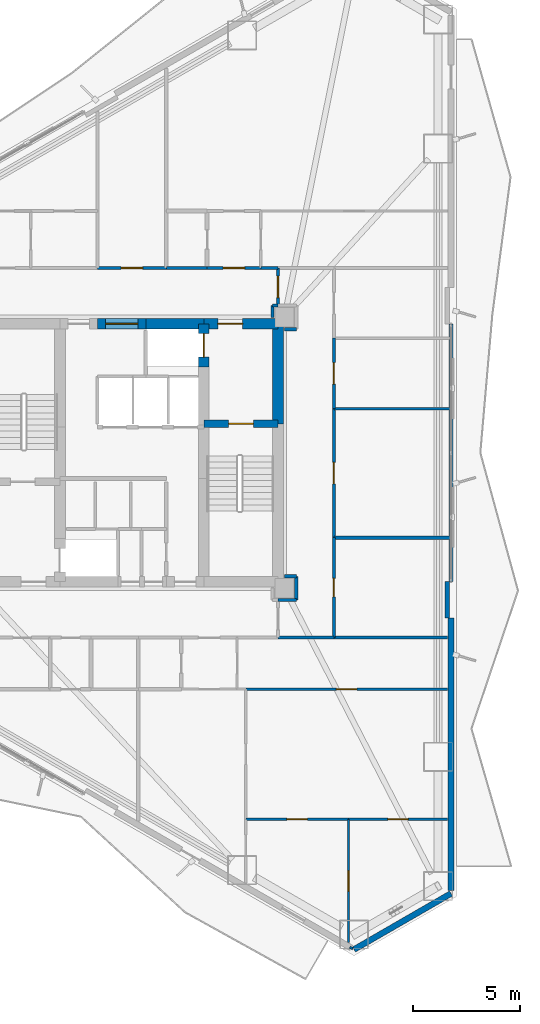
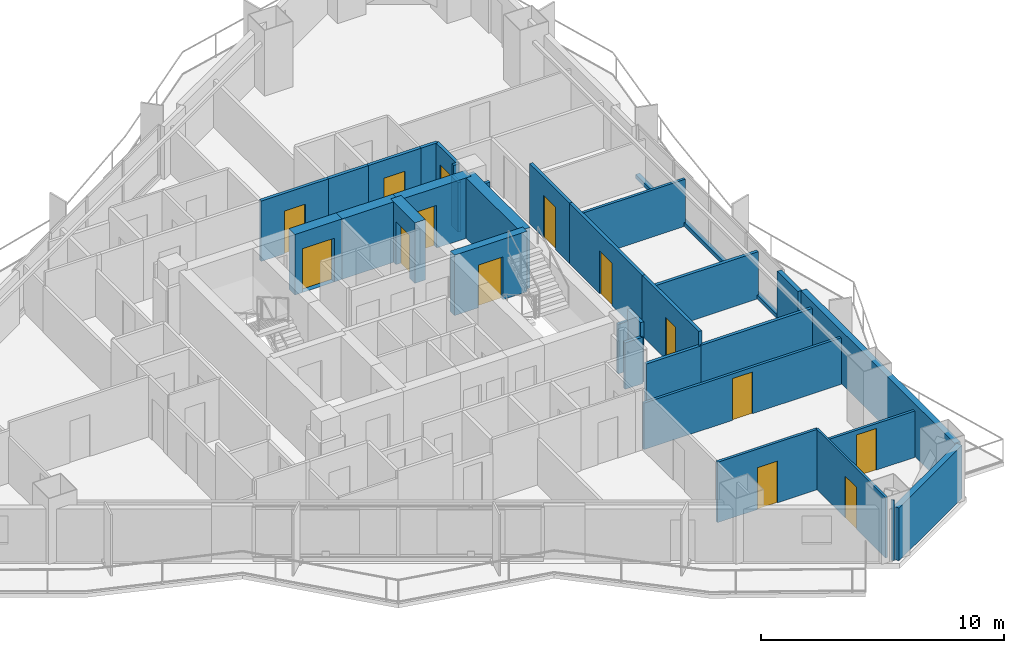
# One storey, part 15 of 19: 33 walls, 14 doors, 14 openings.
"""IFC4 building model written with IfcOpenShell, lengths in metres."""

from ifc_helpers import new_model, si_unit, direction, frame, frame_2d, origin, place, context, subcontext, project, spatial, rectangle, extrude, material, layer, layer_set, type_object, element, fill, save


model = new_model("IFC4")

# Units and contexts
model_context = context("Model", 3, precision=1e-05, world=origin(), true_north=direction((0.0, 1.0)))
body_context = subcontext(model_context, "Body", "Model", "MODEL_VIEW")
ifc_project = project(units=[si_unit("LENGTHUNIT", "METRE"), si_unit("AREAUNIT", "SQUARE_METRE"), si_unit("VOLUMEUNIT", "CUBIC_METRE"), si_unit("PLANEANGLEUNIT", "RADIAN"), si_unit("MASSUNIT", "GRAM", prefix="KILO")], contexts=[model_context])

# Site, building, storey
site_placement = place(None, origin())
site = spatial("IfcSite", under=ifc_project, at=site_placement, CompositionType="ELEMENT")
building_placement = place(site_placement, origin())
building = spatial("IfcBuilding", under=site, at=building_placement, Name="Mersakhor Tower and Convention Hall", CompositionType="ELEMENT")
storey_placement = place(building_placement, frame((0.0, 0.0, 42.300048828125)))
storey = spatial("IfcBuildingStorey", under=building, at=storey_placement, Name="L11", CompositionType="ELEMENT", Elevation=42.300048828125)

# Walls
ifc_material_1 = material(Name="Precast concrete C45/55", Category="concrete")
ifc_layer_1 = layer(ifc_material_1, 0.27490234375)
ifc_layer_set_1 = layer_set([ifc_layer_1], Name="Precast concrete C45/55")
wall_type_1 = type_object("IfcWallType", Name="WL-EXT-275", PredefinedType="SOLIDWALL", material=ifc_layer_set_1)
wall_1_placement = place(storey_placement, frame((43.85009765625, 6.240234375, 0.0), z_axis=(0.0, 0.0, 1.0), x_axis=(-0.866043601342, -0.499968479581, 0.0)))
element("IfcWall", 1, at=wall_1_placement, inside=storey, type_object=wall_type_1, Name="L11 Chamfer Braced Spandrel Wall C2", PredefinedType="SOLIDWALL", context=body_context, shape_type="SweptSolid", body=[
    extrude(rectangle(XDim=5.211181640625, YDim=0.27490234375, at=frame_2d((2.60546875, 0.0))), origin(), (0.0, 0.0, 1.0), 2.659912109375),
])
wall_2_placement = place(storey_placement, frame((43.85009765625, 19.0634765625, 0.0), z_axis=(0.0, 0.0, 1.0), x_axis=(0.0, -1.0, 0.0)))
element("IfcWall", 2, at=wall_2_placement, inside=storey, type_object=wall_type_1, Name="L11 Exterior Facade Wall F2-B3", PredefinedType="SOLIDWALL", context=body_context, shape_type="SweptSolid", body=[
    extrude(rectangle(XDim=12.673095703125, YDim=0.27490234375, at=frame_2d((6.33642578125, 0.0))), origin(), (0.0, 0.0, 1.0), 2.659912109375),
])
ifc_material_2 = material(Name="Precast concrete C40/50", Category="concrete")
ifc_layer_2 = layer(ifc_material_2, 0.199951171875)
ifc_layer_set_2 = layer_set([ifc_layer_2], Name="Precast concrete C40/50")
wall_type_2 = type_object("IfcWallType", Name="WL-PAR-200", PredefinedType="PARAPET", material=ifc_layer_set_2)
wall_3_placement = place(storey_placement, frame((43.85009765625, 32.736572265625, 0.0), z_axis=(0.0, 0.0, 1.0), x_axis=(0.0, -1.0, 0.0)))
element("IfcWall", 3, at=wall_3_placement, inside=storey, type_object=wall_type_2, Name="L11 Curtain Wall Upstand Sill F2-B2", PredefinedType="PARAPET", context=body_context, shape_type="SweptSolid", body=[
    extrude(rectangle(XDim=11.97314453125, YDim=0.199951171875, at=frame_2d((5.986572265625, 0.0))), origin(), (0.0, 0.0, 1.0), 0.199951171875),
])
wall_4_placement = place(storey_placement, frame((43.669921875, 20.763427734375, 0.0), z_axis=(0.0, 0.0, 1.0), x_axis=(0.0, -1.0, 0.0)))
element("IfcWall", 4, at=wall_4_placement, inside=storey, type_object=wall_type_2, Name="L11 Column Pier Cladding Wall F2-C2", PredefinedType="PARAPET", context=body_context, shape_type="SweptSolid", body=[
    extrude(rectangle(XDim=1.699951171875, YDim=0.199951171875, at=frame_2d((0.85009765625, 0.0))), origin(), (0.0, 0.0, 1.0), 2.659912109375),
])

# Wall, opening, door
ifc_material_3 = material(Name="Lightweight gypsum partition", Category="other")
ifc_layer_3 = layer(ifc_material_3, 0.10009765625)
ifc_layer_set_3 = layer_set([ifc_layer_3], Name="Lightweight gypsum partition")
wall_type_3 = type_object("IfcWallType", Name="WL-PRT-100", PredefinedType="PARTITIONING", material=ifc_layer_set_3)
wall_5_placement = place(storey_placement, frame((39.080078125, 9.68994140625, 0.0), z_axis=(0.0, 0.0, 1.0), x_axis=(0.0, -1.0, 0.0)))
wall_5 = element("IfcWall", 5, at=wall_5_placement, inside=storey, type_object=wall_type_3, Name="L11 Interior Partition Wall P-120", PredefinedType="PARTITIONING", context=body_context, shape_type="SweptSolid", body=[
    extrude(rectangle(XDim=5.720458984375, YDim=0.10009765625, at=frame_2d((2.8603515625, 0.0))), origin(), (0.0, 0.0, 1.0), 3.0400390625),
])
opening_1_placement = place(wall_5_placement, frame((2.38525390625, 0.0, 0.0)))
opening_1 = element("IfcOpeningElement", 6, at=opening_1_placement, cuts=wall_5, Name="Opening RD-01", PredefinedType="OPENING", context=body_context, shape_type="SweptSolid", body=[
    extrude(rectangle(XDim=0.949951171875, YDim=2.10009765625, at=frame_2d((0.47509765625, 1.050048828125))), frame((0.0, 0.06005859375, 0.0), z_axis=(0.0, -1.0, 0.0), x_axis=(1.0, 0.0, 0.0)), (0.0, 0.0, 1.0), 0.1201171875),
])
ifc_material_4 = material(Name="Solid-core hardwood leaf in painted steel frame", Category="steel")
door_type_1 = type_object("IfcDoorType", Name="DR-INT-RM-095x210", OperationType="NOTDEFINED", PredefinedType="DOOR", material=ifc_material_4)
door_1_placement = place(opening_1_placement, origin())
door_1 = element("IfcDoor", 7, at=door_1_placement, inside=storey, type_object=door_type_1, Name="L11 L11 Flat S4 Bedroom 1 to L11 Flat S4 Study Room Door", OperationType="SINGLE_SWING_RIGHT", OverallHeight=2.10009765625, OverallWidth=0.949951171875, PredefinedType="DOOR", context=body_context, shape_type="SweptSolid", body=[
    extrude(rectangle(XDim=0.949951171875, YDim=2.10009765625, at=frame_2d((0.47509765625, 1.050048828125))), frame((0.0, 0.02490234375, 0.0), z_axis=(0.0, -1.0, 0.0), x_axis=(1.0, 0.0, 0.0)), (0.0, 0.0, 1.0), 0.050048828125),
])
fill(opening_1, door_1)

# Wall
wall_6_placement = place(storey_placement, frame((39.2724609375, 3.672119140625, 0.0), z_axis=(0.0, 0.0, 1.0), x_axis=(-0.866442544969, 0.49927679324, 0.0)))
element("IfcWall", 8, at=wall_6_placement, inside=storey, type_object=wall_type_3, Name="L11 Interior Partition Wall P-122", PredefinedType="PARTITIONING", context=body_context, shape_type="SweptSolid", body=[
    extrude(rectangle(XDim=0.142333984375, YDim=0.10009765625, at=frame_2d((0.0712890625, 0.0))), origin(), (0.0, 0.0, 1.0), 3.0400390625),
])

# Wall, opening, door
ifc_material_5 = material(Name="Gypsum board acoustic partition", Category="other")
ifc_layer_4 = layer(ifc_material_5, 0.125)
ifc_layer_set_4 = layer_set([ifc_layer_4], Name="Gypsum board acoustic partition")
wall_type_4 = type_object("IfcWallType", Name="WL-PRT-125", PredefinedType="PARTITIONING", material=ifc_layer_set_4)
wall_7_placement = place(storey_placement, frame((43.6884765625, 15.75, 0.0), z_axis=(0.0, 0.0, 1.0), x_axis=(-1.0, 0.0, 0.0)))
wall_7 = element("IfcWall", 9, at=wall_7_placement, inside=storey, type_object=wall_type_4, Name="L11 Interior Partition Wall P-093", PredefinedType="PARTITIONING", context=body_context, shape_type="SweptSolid", body=[
    extrude(rectangle(XDim=9.388427734375, YDim=0.125, at=frame_2d((4.6943359375, 0.0))), origin(), (0.0, 0.0, 1.0), 2.33740234375),
])
opening_2_placement = place(wall_7_placement, frame((4.21923828125, 0.0, 0.0)))
opening_2 = element("IfcOpeningElement", 10, at=opening_2_placement, cuts=wall_7, Name="Opening RD-01", PredefinedType="OPENING", context=body_context, shape_type="SweptSolid", body=[
    extrude(rectangle(XDim=0.949951171875, YDim=2.10009765625, at=frame_2d((0.47509765625, 1.050048828125))), frame((0.0, 0.072509765625, 0.0), z_axis=(0.0, -1.0, 0.0), x_axis=(1.0, 0.0, 0.0)), (0.0, 0.0, 1.0), 0.14501953125),
])
door_2_placement = place(opening_2_placement, origin())
door_2 = element("IfcDoor", 11, at=door_2_placement, inside=storey, type_object=door_type_1, Name="L11 L11 Flat S4 Kitchen to L11 Flat S4 Dining Room Door", OperationType="SINGLE_SWING_RIGHT", OverallHeight=2.10009765625, OverallWidth=0.949951171875, PredefinedType="DOOR", context=body_context, shape_type="SweptSolid", body=[
    extrude(rectangle(XDim=0.949951171875, YDim=2.10009765625, at=frame_2d((0.47509765625, 1.050048828125))), frame((0.0, 0.02490234375, 0.0), z_axis=(0.0, -1.0, 0.0), x_axis=(1.0, 0.0, 0.0)), (0.0, 0.0, 1.0), 0.050048828125),
])
fill(opening_2, door_2)

# Wall
wall_8_placement = place(storey_placement, frame((43.81396484375, 28.800048828125, 0.0), z_axis=(0.0, 0.0, 1.0), x_axis=(-1.0, 0.0, 0.0)))
element("IfcWall", 12, at=wall_8_placement, inside=storey, type_object=wall_type_4, Name="L11 Interior Partition Wall P-107", PredefinedType="PARTITIONING", context=body_context, shape_type="SweptSolid", body=[
    extrude(rectangle(XDim=5.4140625, YDim=0.125, at=frame_2d((2.70703125, 0.0))), origin(), (0.0, 0.0, 1.0), 2.364990234375),
])

# Wall, opening, door
wall_9_placement = place(storey_placement, frame((34.300048828125, 9.68994140625, 0.0), z_axis=(0.0, 0.0, 1.0), x_axis=(1.0, 0.0, 0.0)))
wall_9 = element("IfcWall", 13, at=wall_9_placement, inside=storey, type_object=wall_type_4, Name="L11 Interior Partition Wall P-119", PredefinedType="PARTITIONING", context=body_context, shape_type="SweptSolid", body=[
    extrude(rectangle(XDim=4.780029296875, YDim=0.125, at=frame_2d((2.39013671875, 0.0))), origin(), (0.0, 0.0, 1.0), 3.0400390625),
])
opening_3_placement = place(wall_9_placement, frame((1.9150390625, 0.0, 0.0)))
opening_3 = element("IfcOpeningElement", 14, at=opening_3_placement, cuts=wall_9, Name="Opening RD-01", PredefinedType="OPENING", context=body_context, shape_type="SweptSolid", body=[
    extrude(rectangle(XDim=0.949951171875, YDim=2.10009765625, at=frame_2d((0.47509765625, 1.050048828125))), frame((0.0, 0.072509765625, 0.0), z_axis=(0.0, -1.0, 0.0), x_axis=(1.0, 0.0, 0.0)), (0.0, 0.0, 1.0), 0.14501953125),
])
door_3_placement = place(opening_3_placement, origin())
door_3 = element("IfcDoor", 15, at=door_3_placement, inside=storey, type_object=door_type_1, Name="L11 L11 Flat S4 Bedroom 1 to L11 Flat S4 Dining Room Door", OperationType="SINGLE_SWING_LEFT", OverallHeight=2.10009765625, OverallWidth=0.949951171875, PredefinedType="DOOR", context=body_context, shape_type="SweptSolid", body=[
    extrude(rectangle(XDim=0.949951171875, YDim=2.10009765625, at=frame_2d((0.47509765625, 1.050048828125))), frame((0.0, 0.02490234375, 0.0), z_axis=(0.0, -1.0, 0.0), x_axis=(1.0, 0.0, 0.0)), (0.0, 0.0, 1.0), 0.050048828125),
])
fill(opening_3, door_3)

wall_10_placement = place(storey_placement, frame((39.080078125, 9.68994140625, 0.0), z_axis=(0.0, 0.0, 1.0), x_axis=(1.0, 0.0, 0.0)))
wall_10 = element("IfcWall", 16, at=wall_10_placement, inside=storey, type_object=wall_type_4, Name="L11 Interior Partition Wall P-121", PredefinedType="PARTITIONING", context=body_context, shape_type="SweptSolid", body=[
    extrude(rectangle(XDim=4.6083984375, YDim=0.125, at=frame_2d((2.30419921875, 0.0))), origin(), (0.0, 0.0, 1.0), 2.33740234375),
])
opening_4_placement = place(wall_10_placement, frame((1.8291015625, 0.0, 0.0)))
opening_4 = element("IfcOpeningElement", 17, at=opening_4_placement, cuts=wall_10, Name="Opening RD-01", PredefinedType="OPENING", context=body_context, shape_type="SweptSolid", body=[
    extrude(rectangle(XDim=0.949951171875, YDim=2.10009765625, at=frame_2d((0.47509765625, 1.050048828125))), frame((0.0, 0.072509765625, 0.0), z_axis=(0.0, -1.0, 0.0), x_axis=(1.0, 0.0, 0.0)), (0.0, 0.0, 1.0), 0.14501953125),
])
door_4_placement = place(opening_4_placement, origin())
door_4 = element("IfcDoor", 18, at=door_4_placement, inside=storey, type_object=door_type_1, Name="L11 L11 Flat S4 Study Room to L11 Flat S4 Dining Room Door", OperationType="SINGLE_SWING_RIGHT", OverallHeight=2.10009765625, OverallWidth=0.949951171875, PredefinedType="DOOR", context=body_context, shape_type="SweptSolid", body=[
    extrude(rectangle(XDim=0.949951171875, YDim=2.10009765625, at=frame_2d((0.47509765625, 1.050048828125))), frame((0.0, 0.02490234375, 0.0), z_axis=(0.0, -1.0, 0.0), x_axis=(1.0, 0.0, 0.0)), (0.0, 0.0, 1.0), 0.050048828125),
])
fill(opening_4, door_4)

ifc_material_6 = material(Name="Fire-rated gypsum board stud partition", Category="other")
ifc_layer_5 = layer(ifc_material_6, 0.14990234375)
ifc_layer_set_5 = layer_set([ifc_layer_5], Name="Fire-rated gypsum board stud partition")
wall_type_5 = type_object("IfcWallType", Name="WL-PRT-150", PredefinedType="PARTITIONING", material=ifc_layer_set_5)
wall_11_placement = place(storey_placement, frame((27.39990234375, 35.35009765625, 0.0), z_axis=(0.0, 0.0, 1.0), x_axis=(1.0, 0.0, 0.0)))
wall_11 = element("IfcWall", 19, at=wall_11_placement, inside=storey, type_object=wall_type_5, Name="L11 Interior Partition Wall P-041", PredefinedType="PARTITIONING", context=body_context, shape_type="SweptSolid", body=[
    extrude(rectangle(XDim=3.2001953125, YDim=0.14990234375, at=frame_2d((1.60009765625, 0.0))), origin(), (0.0, 0.0, 1.0), 3.0400390625),
])
opening_5_placement = place(wall_11_placement, frame((1.10009765625, 0.0, 0.0)))
opening_5 = element("IfcOpeningElement", 20, at=opening_5_placement, cuts=wall_11, Name="Opening FD-01", PredefinedType="OPENING", context=body_context, shape_type="SweptSolid", body=[
    extrude(rectangle(XDim=1.0, YDim=2.14990234375, at=frame_2d((0.5, 1.074951171875))), frame((0.0, 0.0849609375, 0.0), z_axis=(0.0, -1.0, 0.0), x_axis=(1.0, 0.0, 0.0)), (0.0, 0.0, 1.0), 0.169921875),
])
ifc_material_7 = material(Name="Fire-rated hardwood leaf and painted steel frame", Category="steel")
door_type_2 = type_object("IfcDoorType", Name="DR-INT-FLT-100x215", OperationType="NOTDEFINED", PredefinedType="DOOR", material=ifc_material_7)
door_5_placement = place(opening_5_placement, origin())
door_5 = element("IfcDoor", 21, at=door_5_placement, inside=storey, type_object=door_type_2, Name="L11 Residential Ring Corridor to L11 North Wing Quiet Study Room Door", OperationType="SINGLE_SWING_LEFT", OverallHeight=2.14990234375, OverallWidth=1.0, PredefinedType="DOOR", context=body_context, shape_type="SweptSolid", body=[
    extrude(rectangle(XDim=1.0, YDim=2.14990234375, at=frame_2d((0.5, 1.074951171875))), frame((0.0, 0.02490234375, 0.0), z_axis=(0.0, -1.0, 0.0), x_axis=(1.0, 0.0, 0.0)), (0.0, 0.0, 1.0), 0.050048828125),
])
fill(opening_5, door_5)

# Wall
wall_12_placement = place(storey_placement, frame((30.60009765625, 35.35009765625, 0.0), z_axis=(0.0, 0.0, 1.0), x_axis=(1.0, 0.0, 0.0)))
element("IfcWall", 22, at=wall_12_placement, inside=storey, type_object=wall_type_5, Name="L11 Interior Partition Wall P-042", PredefinedType="PARTITIONING", context=body_context, shape_type="SweptSolid", body=[
    extrude(rectangle(XDim=1.89990234375, YDim=0.14990234375, at=frame_2d((0.949951171875, 0.0))), origin(), (0.0, 0.0, 1.0), 3.0400390625),
])

# Wall, opening, door
wall_13_placement = place(storey_placement, frame((32.5, 35.35009765625, 0.0), z_axis=(0.0, 0.0, 1.0), x_axis=(1.0, 0.0, 0.0)))
wall_13 = element("IfcWall", 23, at=wall_13_placement, inside=storey, type_object=wall_type_5, Name="L11 Interior Partition Wall P-043", PredefinedType="PARTITIONING", context=body_context, shape_type="SweptSolid", body=[
    extrude(rectangle(XDim=2.5, YDim=0.14990234375, at=frame_2d((1.25, 0.0))), origin(), (0.0, 0.0, 1.0), 3.0400390625),
])
opening_6_placement = place(wall_13_placement, frame((0.75, 0.0, 0.0)))
opening_6 = element("IfcOpeningElement", 24, at=opening_6_placement, cuts=wall_13, Name="Opening FD-01", PredefinedType="OPENING", context=body_context, shape_type="SweptSolid", body=[
    extrude(rectangle(XDim=1.0, YDim=2.14990234375, at=frame_2d((0.5, 1.074951171875))), frame((0.0, 0.0849609375, 0.0), z_axis=(0.0, -1.0, 0.0), x_axis=(1.0, 0.0, 0.0)), (0.0, 0.0, 1.0), 0.169921875),
])
door_6_placement = place(opening_6_placement, origin())
door_6 = element("IfcDoor", 25, at=door_6_placement, inside=storey, type_object=door_type_2, Name="L11 Apartment Entrance Door (Residential Ring Corridor to L11 Flat N2 Apartment Hall)", OperationType="SINGLE_SWING_LEFT", OverallHeight=2.14990234375, OverallWidth=1.0, PredefinedType="DOOR", context=body_context, shape_type="SweptSolid", body=[
    extrude(rectangle(XDim=1.0, YDim=2.14990234375, at=frame_2d((0.5, 1.074951171875))), frame((0.0, 0.02490234375, 0.0), z_axis=(0.0, -1.0, 0.0), x_axis=(1.0, 0.0, 0.0)), (0.0, 0.0, 1.0), 0.050048828125),
])
fill(opening_6, door_6)

# Wall
wall_14_placement = place(storey_placement, frame((35.0, 35.35009765625, 0.0), z_axis=(0.0, 0.0, 1.0), x_axis=(1.0, 0.0, 0.0)))
element("IfcWall", 26, at=wall_14_placement, inside=storey, type_object=wall_type_5, Name="L11 Interior Partition Wall P-044", PredefinedType="PARTITIONING", context=body_context, shape_type="SweptSolid", body=[
    extrude(rectangle(XDim=0.800048828125, YDim=0.14990234375, at=frame_2d((0.39990234375, 0.0))), origin(), (0.0, 0.0, 1.0), 3.0400390625),
])

# Wall, opening, door
wall_15_placement = place(storey_placement, frame((35.800048828125, 35.35009765625, 0.0), z_axis=(0.0, 0.0, 1.0), x_axis=(0.0, -1.0, 0.0)))
wall_15 = element("IfcWall", 27, at=wall_15_placement, inside=storey, type_object=wall_type_5, Name="L11 Interior Partition Wall P-045", PredefinedType="PARTITIONING", context=body_context, shape_type="SweptSolid", body=[
    extrude(rectangle(XDim=1.75, YDim=0.14990234375, at=frame_2d((0.875, 0.0))), origin(), (0.0, 0.0, 1.0), 3.0400390625),
])
opening_7_placement = place(wall_15_placement, frame((0.375, 0.0, 0.0)))
opening_7 = element("IfcOpeningElement", 28, at=opening_7_placement, cuts=wall_15, Name="Opening FD-01", PredefinedType="OPENING", context=body_context, shape_type="SweptSolid", body=[
    extrude(rectangle(XDim=1.0, YDim=2.14990234375, at=frame_2d((0.5, 1.074951171875))), frame((0.0, 0.0849609375, 0.0), z_axis=(0.0, -1.0, 0.0), x_axis=(1.0, 0.0, 0.0)), (0.0, 0.0, 1.0), 0.169921875),
])
door_7_placement = place(opening_7_placement, origin())
door_7 = element("IfcDoor", 29, at=door_7_placement, inside=storey, type_object=door_type_2, Name="L11 Ring Corridor Fire Door", OperationType="SINGLE_SWING_LEFT", OverallHeight=2.14990234375, OverallWidth=1.0, PredefinedType="DOOR", context=body_context, shape_type="SweptSolid", body=[
    extrude(rectangle(XDim=1.0, YDim=2.14990234375, at=frame_2d((0.5, 1.074951171875))), frame((0.0, 0.02490234375, 0.0), z_axis=(0.0, -1.0, 0.0), x_axis=(1.0, 0.0, 0.0)), (0.0, 0.0, 1.0), 0.050048828125),
])
fill(opening_7, door_7)

# Walls
wall_16_placement = place(storey_placement, frame((35.800048828125, 33.60009765625, 0.0), z_axis=(0.0, 0.0, 1.0), x_axis=(-1.0, 0.0, 0.0)))
element("IfcWall", 30, at=wall_16_placement, inside=storey, type_object=wall_type_5, Name="L11 Interior Partition Wall P-046", PredefinedType="PARTITIONING", context=body_context, shape_type="SweptSolid", body=[
    extrude(rectangle(XDim=0.25, YDim=0.14990234375, at=frame_2d((0.125, 0.0))), origin(), (0.0, 0.0, 1.0), 3.0400390625),
])
wall_17_placement = place(storey_placement, frame((35.550048828125, 33.60009765625, 0.0), z_axis=(0.0, 0.0, 1.0), x_axis=(0.0, -1.0, 0.0)))
element("IfcWall", 31, at=wall_17_placement, inside=storey, type_object=wall_type_5, Name="L11 Interior Partition Wall P-047", PredefinedType="PARTITIONING", context=body_context, shape_type="SweptSolid", body=[
    extrude(rectangle(XDim=0.550048828125, YDim=0.14990234375, at=frame_2d((0.27490234375, 0.0))), origin(), (0.0, 0.0, 1.0), 2.48828125),
])
for number, where, z_axis, x_axis, name in (
    (32, (36.64990234375, 21.0, 0.0), (0.0, 0.0, 1.0), (-1.0, 0.0, 0.0), "L11 Interior Partition Wall P-054"),
    (33, (36.10009765625, 32.5, 0.0), (0.0, 0.0, 1.0), (1.0, 0.0, 0.0), "L11 Interior Partition Wall P-055"),
):
    element("IfcWall", number, at=place(storey_placement, frame(where, z_axis=z_axis, x_axis=x_axis)), inside=storey, type_object=wall_type_5, Name=name, PredefinedType="PARTITIONING", context=body_context, shape_type="SweptSolid", body=[
        extrude(rectangle(XDim=0.5498046875, YDim=0.14990234375, at=frame_2d((0.27490234375, 0.0))), origin(), (0.0, 0.0, 1.0), 2.48828125),
    ])

# Wall, opening, door
wall_18_placement = place(storey_placement, frame((38.39990234375, 32.080078125, 0.0), z_axis=(0.0, 0.0, 1.0), x_axis=(0.0, -1.0, 0.0)))
wall_18 = element("IfcWall", 34, at=wall_18_placement, inside=storey, type_object=wall_type_5, Name="L11 Interior Partition Wall P-060", PredefinedType="PARTITIONING", context=body_context, shape_type="SweptSolid", body=[
    extrude(rectangle(XDim=3.280029296875, YDim=0.14990234375, at=frame_2d((1.64013671875, 0.0))), origin(), (0.0, 0.0, 1.0), 3.0400390625),
])
opening_8_placement = place(wall_18_placement, frame((1.139892578125, 0.0, 0.0)))
opening_8 = element("IfcOpeningElement", 35, at=opening_8_placement, cuts=wall_18, Name="Opening FD-01", PredefinedType="OPENING", context=body_context, shape_type="SweptSolid", body=[
    extrude(rectangle(XDim=1.0, YDim=2.14990234375, at=frame_2d((0.5, 1.074951171875))), frame((0.0, 0.0849609375, 0.0), z_axis=(0.0, -1.0, 0.0), x_axis=(1.0, 0.0, 0.0)), (0.0, 0.0, 1.0), 0.169921875),
])
door_8_placement = place(opening_8_placement, origin())
door_8 = element("IfcDoor", 36, at=door_8_placement, inside=storey, type_object=door_type_2, Name="L11 Residential Ring East Corridor to L11 East Wing Shared Study Room Door", OperationType="SINGLE_SWING_RIGHT", OverallHeight=2.14990234375, OverallWidth=1.0, PredefinedType="DOOR", context=body_context, shape_type="SweptSolid", body=[
    extrude(rectangle(XDim=1.0, YDim=2.14990234375, at=frame_2d((0.5, 1.074951171875))), frame((0.0, 0.02490234375, 0.0), z_axis=(0.0, -1.0, 0.0), x_axis=(1.0, 0.0, 0.0)), (0.0, 0.0, 1.0), 0.050048828125),
])
fill(opening_8, door_8)

wall_19_placement = place(storey_placement, frame((38.39990234375, 28.800048828125, 0.0), z_axis=(0.0, 0.0, 1.0), x_axis=(0.0, -1.0, 0.0)))
wall_19 = element("IfcWall", 37, at=wall_19_placement, inside=storey, type_object=wall_type_5, Name="L11 Interior Partition Wall P-061", PredefinedType="PARTITIONING", context=body_context, shape_type="SweptSolid", body=[
    extrude(rectangle(XDim=6.0, YDim=0.14990234375, at=frame_2d((3.0, 0.0))), origin(), (0.0, 0.0, 1.0), 3.0400390625),
])
opening_9_placement = place(wall_19_placement, frame((2.5, 0.0, 0.0)))
opening_9 = element("IfcOpeningElement", 38, at=opening_9_placement, cuts=wall_19, Name="Opening FD-01", PredefinedType="OPENING", context=body_context, shape_type="SweptSolid", body=[
    extrude(rectangle(XDim=1.0, YDim=2.14990234375, at=frame_2d((0.5, 1.074951171875))), frame((0.0, 0.0849609375, 0.0), z_axis=(0.0, -1.0, 0.0), x_axis=(1.0, 0.0, 0.0)), (0.0, 0.0, 1.0), 0.169921875),
])
door_9_placement = place(opening_9_placement, origin())
door_9 = element("IfcDoor", 39, at=door_9_placement, inside=storey, type_object=door_type_2, Name="L11 Residential Ring East Corridor to L11 East Wing Residents Tea Lounge Door", OperationType="SINGLE_SWING_RIGHT", OverallHeight=2.14990234375, OverallWidth=1.0, PredefinedType="DOOR", context=body_context, shape_type="SweptSolid", body=[
    extrude(rectangle(XDim=1.0, YDim=2.14990234375, at=frame_2d((0.5, 1.074951171875))), frame((0.0, 0.02490234375, 0.0), z_axis=(0.0, -1.0, 0.0), x_axis=(1.0, 0.0, 0.0)), (0.0, 0.0, 1.0), 0.050048828125),
])
fill(opening_9, door_9)

wall_20_placement = place(storey_placement, frame((38.39990234375, 22.800048828125, 0.0), z_axis=(0.0, 0.0, 1.0), x_axis=(0.0, -1.0, 0.0)))
wall_20 = element("IfcWall", 40, at=wall_20_placement, inside=storey, type_object=wall_type_5, Name="L11 Interior Partition Wall P-062", PredefinedType="PARTITIONING", context=body_context, shape_type="SweptSolid", body=[
    extrude(rectangle(XDim=4.650146484375, YDim=0.14990234375, at=frame_2d((2.3251953125, 0.0))), origin(), (0.0, 0.0, 1.0), 3.0400390625),
])
opening_10_placement = place(wall_20_placement, frame((1.89990234375, 0.0, 0.0)))
opening_10 = element("IfcOpeningElement", 41, at=opening_10_placement, cuts=wall_20, Name="Opening SVD-01", PredefinedType="OPENING", context=body_context, shape_type="SweptSolid", body=[
    extrude(rectangle(XDim=0.85009765625, YDim=2.10009765625, at=frame_2d((0.425048828125, 1.050048828125))), frame((0.0, 0.0849609375, 0.0), z_axis=(0.0, -1.0, 0.0), x_axis=(1.0, 0.0, 0.0)), (0.0, 0.0, 1.0), 0.169921875),
])
ifc_material_8 = material(Name="Fire-rated hardwood leaf and painted steel frame", Category="steel")
door_type_3 = type_object("IfcDoorType", Name="DR-INT-SVC-085x210", OperationType="NOTDEFINED", PredefinedType="DOOR", material=ifc_material_8)
door_10_placement = place(opening_10_placement, origin())
door_10 = element("IfcDoor", 42, at=door_10_placement, inside=storey, type_object=door_type_3, Name="L11 Residential Ring East Corridor to L11 East Wing Pram and Cycle Store Room Door", OperationType="SINGLE_SWING_LEFT", OverallHeight=2.10009765625, OverallWidth=0.85009765625, PredefinedType="DOOR", context=body_context, shape_type="SweptSolid", body=[
    extrude(rectangle(XDim=0.85009765625, YDim=2.10009765625, at=frame_2d((0.425048828125, 1.050048828125))), frame((0.0, 0.02490234375, 0.0), z_axis=(0.0, -1.0, 0.0), x_axis=(1.0, 0.0, 0.0)), (0.0, 0.0, 1.0), 0.050048828125),
])
fill(opening_10, door_10)

# Walls
wall_21_placement = place(storey_placement, frame((38.39990234375, 18.14990234375, 0.0), z_axis=(0.0, 0.0, 1.0), x_axis=(-1.0, 0.0, 0.0)))
element("IfcWall", 43, at=wall_21_placement, inside=storey, type_object=wall_type_5, Name="L11 Interior Partition Wall P-063", PredefinedType="PARTITIONING", context=body_context, shape_type="SweptSolid", body=[
    extrude(rectangle(XDim=2.599853515625, YDim=0.14990234375, at=frame_2d((1.2998046875, 0.0))), origin(), (0.0, 0.0, 1.0), 2.33740234375),
])
wall_22_placement = place(storey_placement, frame((35.800048828125, 19.89990234375, 0.0), z_axis=(0.0, 0.0, 1.0), x_axis=(1.0, 0.0, 0.0)))
element("IfcWall", 44, at=wall_22_placement, inside=storey, type_object=wall_type_5, Name="L11 Interior Partition Wall P-064", PredefinedType="PARTITIONING", context=body_context, shape_type="SweptSolid", body=[
    extrude(rectangle(XDim=0.849853515625, YDim=0.14990234375, at=frame_2d((0.4248046875, 0.0))), origin(), (0.0, 0.0, 1.0), 2.33740234375),
])
wall_23_placement = place(storey_placement, frame((36.64990234375, 19.89990234375, 0.0), z_axis=(0.0, 0.0, 1.0), x_axis=(0.0, 1.0, 0.0)))
element("IfcWall", 45, at=wall_23_placement, inside=storey, type_object=wall_type_5, Name="L11 Interior Partition Wall P-065", PredefinedType="PARTITIONING", context=body_context, shape_type="SweptSolid", body=[
    extrude(rectangle(XDim=1.10009765625, YDim=0.14990234375, at=frame_2d((0.550048828125, 0.0))), origin(), (0.0, 0.0, 1.0), 3.0400390625),
])
wall_24_placement = place(storey_placement, frame((38.39990234375, 18.14990234375, 0.0), z_axis=(0.0, 0.0, 1.0), x_axis=(1.0, 0.0, 0.0)))
element("IfcWall", 46, at=wall_24_placement, inside=storey, type_object=wall_type_5, Name="L11 Interior Partition Wall P-092", PredefinedType="PARTITIONING", context=body_context, shape_type="SweptSolid", body=[
    extrude(rectangle(XDim=5.28857421875, YDim=0.14990234375, at=frame_2d((2.644287109375, 0.0))), origin(), (0.0, 0.0, 1.0), 2.364990234375),
])
wall_25_placement = place(storey_placement, frame((43.81396484375, 22.800048828125, 0.0), z_axis=(0.0, 0.0, 1.0), x_axis=(-1.0, 0.0, 0.0)))
element("IfcWall", 47, at=wall_25_placement, inside=storey, type_object=wall_type_5, Name="L11 Interior Partition Wall P-108", PredefinedType="PARTITIONING", context=body_context, shape_type="SweptSolid", body=[
    extrude(rectangle(XDim=5.4140625, YDim=0.14990234375, at=frame_2d((2.70703125, 0.0))), origin(), (0.0, 0.0, 1.0), 2.364990234375),
])

# Wall, opening, door
ifc_material_9 = material(Name="Concrete C50/60", Category="concrete")
ifc_layer_6 = layer(ifc_material_9, 0.35009765625)
ifc_layer_set_6 = layer_set([ifc_layer_6], Name="Concrete C50/60")
wall_type_6 = type_object("IfcWallType", Name="WL-SHR-350", PredefinedType="SHEAR", material=ifc_layer_set_6)
wall_26_placement = place(storey_placement, frame((32.35009765625, 28.10009765625, 0.0), z_axis=(0.0, 0.0, 1.0), x_axis=(1.0, 0.0, 0.0)))
wall_26 = element("IfcWall", 48, at=wall_26_placement, inside=storey, type_object=wall_type_6, Name="L11 Core Wall CS-ST2-N", PredefinedType="SHEAR", context=body_context, shape_type="SweptSolid", body=[
    extrude(rectangle(XDim=3.449951171875, YDim=0.35009765625, at=frame_2d((1.72509765625, 0.0))), origin(), (0.0, 0.0, 1.0), 3.0400390625),
])
opening_11_placement = place(wall_26_placement, frame((1.14990234375, 0.0, 0.0)))
opening_11 = element("IfcOpeningElement", 49, at=opening_11_placement, cuts=wall_26, Name="Opening SD-01", PredefinedType="OPENING", context=body_context, shape_type="SweptSolid", body=[
    extrude(rectangle(XDim=1.14990234375, YDim=2.14990234375, at=frame_2d((0.574951171875, 1.074951171875))), frame((0.0, 0.18505859375, 0.0), z_axis=(0.0, -1.0, 0.0), x_axis=(1.0, 0.0, 0.0)), (0.0, 0.0, 1.0), 0.3701171875),
])
ifc_material_10 = material(Name="Fire-rated hardwood leaf and painted steel frame", Category="steel")
door_type_4 = type_object("IfcDoorType", Name="DR-INT-STAIR-115x215", OperationType="NOTDEFINED", PredefinedType="DOOR", material=ifc_material_10)
door_11_placement = place(opening_11_placement, origin())
door_11 = element("IfcDoor", 50, at=door_11_placement, inside=storey, type_object=door_type_4, Name="L11 Exit Stair ST-2 Enclosure Door", OperationType="SINGLE_SWING_RIGHT", OverallHeight=2.14990234375, OverallWidth=1.14990234375, PredefinedType="DOOR", context=body_context, shape_type="SweptSolid", body=[
    extrude(rectangle(XDim=1.14990234375, YDim=2.14990234375, at=frame_2d((0.574951171875, 1.074951171875))), frame((0.0, 0.02490234375, 0.0), z_axis=(0.0, -1.0, 0.0), x_axis=(1.0, 0.0, 0.0)), (0.0, 0.0, 1.0), 0.050048828125),
])
fill(opening_11, door_11)

ifc_material_11 = material(Name="Concrete C70/85", Category="concrete")
ifc_layer_7 = layer(ifc_material_11, 0.5)
ifc_layer_set_7 = layer_set([ifc_layer_7], Name="Concrete C70/85")
wall_type_7 = type_object("IfcWallType", Name="WL-SHR-500", PredefinedType="SHEAR", material=ifc_layer_set_7)
wall_27_placement = place(storey_placement, frame((27.39990234375, 32.75, 0.0), z_axis=(0.0, 0.0, 1.0), x_axis=(1.0, 0.0, 0.0)))
wall_27 = element("IfcWall", 51, at=wall_27_placement, inside=storey, type_object=wall_type_7, Name="L11 Core Wall CW-N2B", PredefinedType="SHEAR", context=body_context, shape_type="SweptSolid", body=[
    extrude(rectangle(XDim=2.25, YDim=0.5, at=frame_2d((1.125, 0.0))), origin(), (0.0, 0.0, 1.0), 3.0400390625),
])
opening_12_placement = place(wall_27_placement, frame((0.375, 0.0, 0.0)))
opening_12 = element("IfcOpeningElement", 52, at=opening_12_placement, cuts=wall_27, Name="Opening LD-LOB", PredefinedType="OPENING", context=body_context, shape_type="SweptSolid", body=[
    extrude(rectangle(XDim=1.5, YDim=2.199951171875, at=frame_2d((0.75, 1.10009765625))), frame((0.0, 0.260009765625, 0.0), z_axis=(0.0, -1.0, 0.0), x_axis=(1.0, 0.0, 0.0)), (0.0, 0.0, 1.0), 0.52001953125),
])
ifc_material_12 = material(Name="Fire-rated hardwood leaf and painted steel frame", Category="steel")
door_type_5 = type_object("IfcDoorType", Name="DR-INT-LOB-150x220", OperationType="NOTDEFINED", PredefinedType="DOOR", material=ifc_material_12)
door_12_placement = place(opening_12_placement, origin())
door_12 = element("IfcDoor", 53, at=door_12_placement, inside=storey, type_object=door_type_5, Name="L11 Central Passenger Lift Lobby to Residential Ring Corridor Door", OperationType="DOUBLE_DOOR_SINGLE_SWING", OverallHeight=2.199951171875, OverallWidth=1.5, PredefinedType="DOOR", context=body_context, shape_type="SweptSolid", body=[
    extrude(rectangle(XDim=1.5, YDim=2.199951171875, at=frame_2d((0.75, 1.10009765625))), frame((0.0, 0.02490234375, 0.0), z_axis=(0.0, -1.0, 0.0), x_axis=(1.0, 0.0, 0.0)), (0.0, 0.0, 1.0), 0.050048828125),
])
fill(opening_12, door_12)

# Wall
wall_28_placement = place(storey_placement, frame((29.64990234375, 32.75, 0.0), z_axis=(0.0, 0.0, 1.0), x_axis=(1.0, 0.0, 0.0)))
element("IfcWall", 54, at=wall_28_placement, inside=storey, type_object=wall_type_7, Name="L11 Core Wall CW-N3", PredefinedType="SHEAR", context=body_context, shape_type="SweptSolid", body=[
    extrude(rectangle(XDim=2.7001953125, YDim=0.5, at=frame_2d((1.35009765625, 0.0))), origin(), (0.0, 0.0, 1.0), 3.0400390625),
])

# Wall, opening, door
wall_29_placement = place(storey_placement, frame((32.35009765625, 32.75, 0.0), z_axis=(0.0, 0.0, 1.0), x_axis=(1.0, 0.0, 0.0)))
wall_29 = element("IfcWall", 55, at=wall_29_placement, inside=storey, type_object=wall_type_7, Name="L11 Core Wall CW-N4", PredefinedType="SHEAR", context=body_context, shape_type="SweptSolid", body=[
    extrude(rectangle(XDim=3.449951171875, YDim=0.5, at=frame_2d((1.72509765625, 0.0))), origin(), (0.0, 0.0, 1.0), 3.0400390625),
])
opening_13_placement = place(wall_29_placement, frame((0.64990234375, 0.0, 0.0)))
opening_13 = element("IfcOpeningElement", 56, at=opening_13_placement, cuts=wall_29, Name="Opening SD-01", PredefinedType="OPENING", context=body_context, shape_type="SweptSolid", body=[
    extrude(rectangle(XDim=1.14990234375, YDim=2.14990234375, at=frame_2d((0.574951171875, 1.074951171875))), frame((0.0, 0.260009765625, 0.0), z_axis=(0.0, -1.0, 0.0), x_axis=(1.0, 0.0, 0.0)), (0.0, 0.0, 1.0), 0.52001953125),
])
door_13_placement = place(opening_13_placement, origin())
door_13 = element("IfcDoor", 57, at=door_13_placement, inside=storey, type_object=door_type_4, Name="L11 Firefighting Lobby East Fire Door", OperationType="SINGLE_SWING_RIGHT", OverallHeight=2.14990234375, OverallWidth=1.14990234375, PredefinedType="DOOR", context=body_context, shape_type="SweptSolid", body=[
    extrude(rectangle(XDim=1.14990234375, YDim=2.14990234375, at=frame_2d((0.574951171875, 1.074951171875))), frame((0.0, 0.02490234375, 0.0), z_axis=(0.0, -1.0, 0.0), x_axis=(1.0, 0.0, 0.0)), (0.0, 0.0, 1.0), 0.050048828125),
])
fill(opening_13, door_13)

# Wall
wall_30_placement = place(storey_placement, frame((35.800048828125, 32.75, 0.0), z_axis=(0.0, 0.0, 1.0), x_axis=(0.0, -1.0, 0.0)))
element("IfcWall", 58, at=wall_30_placement, inside=storey, type_object=wall_type_7, Name="L11 Core Wall CW-E1", PredefinedType="SHEAR", context=body_context, shape_type="SweptSolid", body=[
    extrude(rectangle(XDim=4.64990234375, YDim=0.5, at=frame_2d((2.324951171875, 0.0))), origin(), (0.0, 0.0, 1.0), 3.0400390625),
])

# Wall, opening, door
wall_31_placement = place(storey_placement, frame((32.35009765625, 30.75, 0.0), z_axis=(0.0, 0.0, 1.0), x_axis=(0.0, 1.0, 0.0)))
wall_31 = element("IfcWall", 59, at=wall_31_placement, inside=storey, type_object=wall_type_7, Name="L11 Core Wall CS-E-FFL", PredefinedType="SHEAR", context=body_context, shape_type="SweptSolid", body=[
    extrude(rectangle(XDim=2.0, YDim=0.5, at=frame_2d((1.0, 0.0))), origin(), (0.0, 0.0, 1.0), 3.0400390625),
])
opening_14_placement = place(wall_31_placement, frame((0.449951171875, 0.0, 0.0)))
opening_14 = element("IfcOpeningElement", 60, at=opening_14_placement, cuts=wall_31, Name="Opening LD-FFL2", PredefinedType="OPENING", context=body_context, shape_type="SweptSolid", body=[
    extrude(rectangle(XDim=1.10009765625, YDim=2.14990234375, at=frame_2d((0.550048828125, 1.074951171875))), frame((0.0, 0.260009765625, 0.0), z_axis=(0.0, -1.0, 0.0), x_axis=(1.0, 0.0, 0.0)), (0.0, 0.0, 1.0), 0.52001953125),
])
ifc_material_13 = material(Name="Fire-rated brushed stainless steel sliding landing door", Category="steel")
door_type_6 = type_object("IfcDoorType", Name="DR-LIFT-SLD-110x215", OperationType="NOTDEFINED", PredefinedType="DOOR", material=ifc_material_13)
door_14_placement = place(opening_14_placement, origin())
door_14 = element("IfcDoor", 61, at=door_14_placement, inside=storey, type_object=door_type_6, Name="L11 Firefighting Lift Landing Door LD-FFL2", OperationType="SLIDING_TO_LEFT", OverallHeight=2.14990234375, OverallWidth=1.10009765625, PredefinedType="DOOR", context=body_context, shape_type="SweptSolid", body=[
    extrude(rectangle(XDim=1.10009765625, YDim=2.14990234375, at=frame_2d((0.550048828125, 1.074951171875))), frame((0.0, 0.02490234375, 0.0), z_axis=(0.0, -1.0, 0.0), x_axis=(1.0, 0.0, 0.0)), (0.0, 0.0, 1.0), 0.050048828125),
])
fill(opening_14, door_14)

save(model, "model.ifc")
